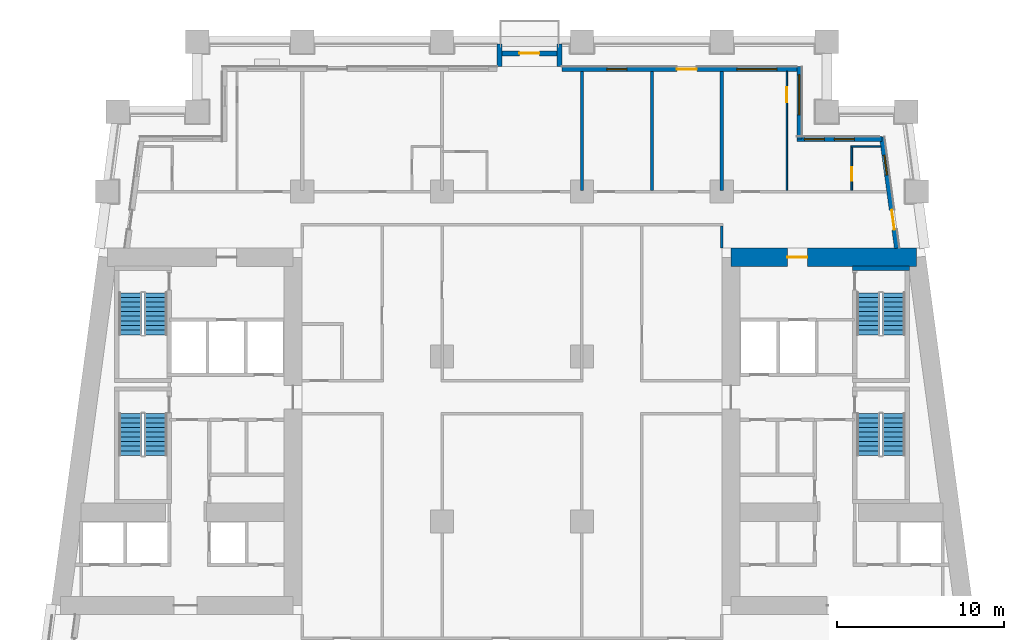
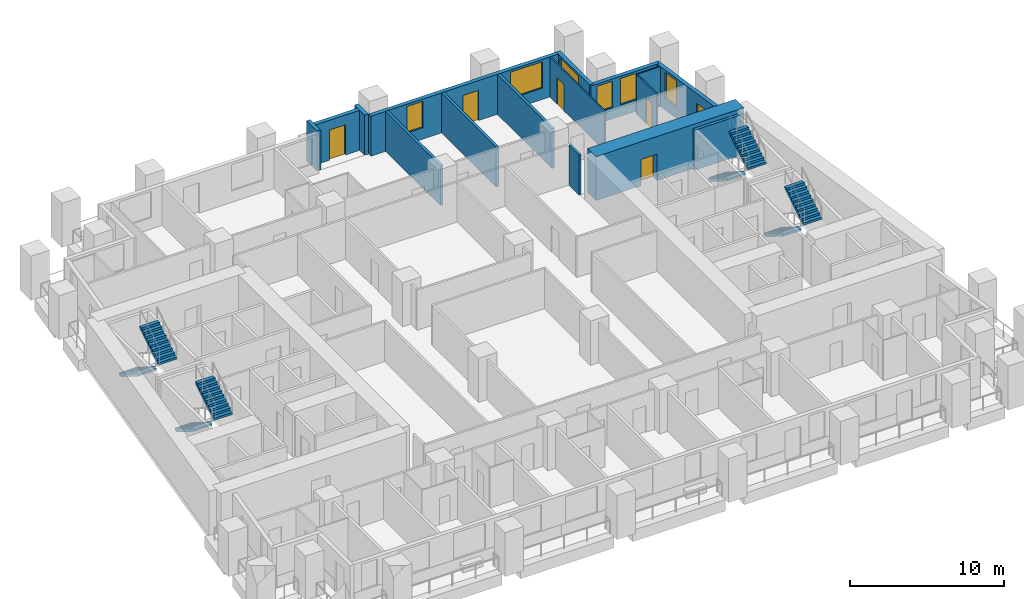
# One storey, part 7 of 12: 16 walls, 8 stair flights, 6 doors, 6 windows, 12 openings, 4 elements without a shape of their own.
"""IFC4 building model written with IfcOpenShell, lengths in metres."""

from ifc_helpers import new_model, si_unit, direction, frame, frame_2d, origin, place, context, subcontext, project, spatial, polyline, rectangle, outline, extrude, material, layer, layer_set, type_object, element, fill, aggregate, save


model = new_model("IFC4")

# Units and contexts
model_context = context("Model", 3, precision=1e-05, world=origin(), true_north=direction((0.0, 1.0)))
body_context = subcontext(model_context, "Body", "Model", "MODEL_VIEW")
ifc_project = project(units=[si_unit("LENGTHUNIT", "METRE"), si_unit("AREAUNIT", "SQUARE_METRE"), si_unit("VOLUMEUNIT", "CUBIC_METRE"), si_unit("PLANEANGLEUNIT", "RADIAN"), si_unit("MASSUNIT", "GRAM", prefix="KILO")], contexts=[model_context])

# Site, building, storey
site_placement = place(None, origin())
site = spatial("IfcSite", under=ifc_project, at=site_placement, CompositionType="ELEMENT")
building_placement = place(site_placement, origin())
building = spatial("IfcBuilding", under=site, at=building_placement, Name="Candeia Pilgrim Tower and Theatre", CompositionType="ELEMENT")
storey_placement = place(building_placement, frame((0.0, 0.0, 49.5)))
storey = spatial("IfcBuildingStorey", under=building, at=storey_placement, Name="L09", CompositionType="ELEMENT", Elevation=49.5)

# Wall, opening, door
ifc_material_1 = material(Name="Concrete C80/95", Category="concrete")
ifc_layer_1 = layer(ifc_material_1, 1.10009765625)
ifc_layer_set_1 = layer_set([ifc_layer_1], Name="Core wall 1100 C80/95")
wall_type_1 = type_object("IfcWallType", Name="Core wall 1100 C80/95", PredefinedType="SHEAR", material=ifc_layer_set_1)
wall_1_placement = place(storey_placement, frame((126.550048828125, 131.85009765625, 0.0), z_axis=(0.0, 0.0, 1.0), x_axis=(1.0, 0.0, 0.0)))
wall_1 = element("IfcWall", 1, at=wall_1_placement, inside=storey, type_object=wall_type_1, Name="Core wall E1", PredefinedType="SHEAR", context=body_context, shape_type="SweptSolid", body=[
    extrude(rectangle(XDim=11.13818359375, YDim=1.10009765625, at=frame_2d((5.569091796875, 0.0))), origin(), (0.0, 0.0, 1.0), 3.5),
])
opening_1_placement = place(wall_1_placement, frame((3.386474609375, 0.0, 0.0)))
opening_1 = element("IfcOpeningElement", 2, at=opening_1_placement, cuts=wall_1, Name="Opening L09-D058", PredefinedType="OPENING", context=body_context, shape_type="SweptSolid", body=[
    extrude(rectangle(XDim=1.199951171875, YDim=2.10009765625, at=frame_2d((0.60009765625, 1.050048828125))), frame((0.0, 0.56005859375, 0.0), z_axis=(0.0, -1.0, 0.0), x_axis=(1.0, 0.0, 0.0)), (0.0, 0.0, 1.0), 1.1201171875),
])
ifc_material_2 = material(Name="Steel fire door set", Category="steel")
door_type_1 = type_object("IfcDoorType", Name="D-1200-FD60", OperationType="NOTDEFINED", PredefinedType="DOOR", material=ifc_material_2)
door_1_placement = place(opening_1_placement, origin())
door_1 = element("IfcDoor", 3, at=door_1_placement, inside=storey, type_object=door_type_1, Name="Door L09-D058", OperationType="SINGLE_SWING_LEFT", OverallHeight=2.10009765625, OverallWidth=1.199951171875, PredefinedType="DOOR", context=body_context, shape_type="SweptSolid", body=[
    extrude(rectangle(XDim=1.199951171875, YDim=2.10009765625, at=frame_2d((0.60009765625, 1.050048828125))), frame((0.0, 0.02490234375, 0.0), z_axis=(0.0, -1.0, 0.0), x_axis=(1.0, 0.0, 0.0)), (0.0, 0.0, 1.0), 0.050048828125),
])
fill(opening_1, door_1)

# Wall, openings, door, window
ifc_material_3 = material(Name="Ceramic block masonry", Category="masonry")
ifc_layer_2 = layer(ifc_material_3, 0.300048828125)
ifc_layer_set_2 = layer_set([ifc_layer_2], Name="EW1 glazing-line wall 300")
wall_type_2 = type_object("IfcWallType", Name="EW1 glazing-line wall 300", PredefinedType="SOLIDWALL", material=ifc_layer_set_2)
wall_2_placement = place(storey_placement, frame((136.50439453125, 132.39990234375, 0.0), z_axis=(0.0, 0.0, 1.0), x_axis=(-0.133399697462, 0.99106231929, 0.0)))
wall_2 = element("IfcWall", 4, at=wall_2_placement, inside=storey, type_object=wall_type_2, Name="External wall L09-3.1", PredefinedType="SOLIDWALL", context=body_context, shape_type="SweptSolid", body=[
    extrude(rectangle(XDim=6.740478515625, YDim=0.300048828125, at=frame_2d((3.3701171875, 0.0))), origin(), (0.0, 0.0, 1.0), 3.179931640625),
])
opening_2_placement = place(wall_2_placement, frame((1.115234375, 0.0, 0.0)))
opening_2 = element("IfcOpeningElement", 5, at=opening_2_placement, cuts=wall_2, Name="Opening L09-ED113", PredefinedType="OPENING", context=body_context, shape_type="SweptSolid", body=[
    extrude(rectangle(XDim=1.199951171875, YDim=2.39990234375, at=frame_2d((0.60009765625, 1.199951171875))), frame((0.0, 0.16015625, 0.0), z_axis=(0.0, -1.0, 0.0), x_axis=(1.0, 0.0, 0.0)), (0.0, 0.0, 1.0), 0.320068359375),
])
opening_3_placement = place(wall_2_placement, frame((4.435546875, 0.0, 0.89990234375)))
opening_3 = element("IfcOpeningElement", 6, at=opening_3_placement, cuts=wall_2, Name="Opening W-B", PredefinedType="OPENING", context=body_context, shape_type="SweptSolid", body=[
    extrude(rectangle(XDim=1.199951171875, YDim=2.10009765625, at=frame_2d((0.60009765625, 1.050048828125))), frame((0.0, 0.16015625, 0.0), z_axis=(0.0, -1.0, 0.0), x_axis=(1.0, 0.0, 0.0)), (0.0, 0.0, 1.0), 0.320068359375),
])
ifc_material_4 = material(Name="Aluminium framed glazed door", Category="aluminium")
door_type_2 = type_object("IfcDoorType", Name="Loggia door 1200x2400", OperationType="DOUBLE_DOOR_SINGLE_SWING", PredefinedType="DOOR", material=ifc_material_4)
door_2_placement = place(opening_2_placement, origin())
door_2 = element("IfcDoor", 7, at=door_2_placement, inside=storey, type_object=door_type_2, Name="Loggia door L09-ED113", OperationType="DOUBLE_DOOR_SINGLE_SWING", OverallHeight=2.39990234375, OverallWidth=1.199951171875, PredefinedType="DOOR", context=body_context, shape_type="SweptSolid", body=[
    extrude(rectangle(XDim=1.199951171875, YDim=2.39990234375, at=frame_2d((0.60009765625, 1.199951171875))), frame((0.0, 0.02490234375, 0.0), z_axis=(0.0, -1.0, 0.0), x_axis=(1.0, 0.0, 0.0)), (0.0, 0.0, 1.0), 0.050048828125),
])
fill(opening_2, door_2)
ifc_material_5 = material(Name="Aluminium framed double glazing", Category="aluminium")
window_type_1 = type_object("IfcWindowType", Name="W-B window 1200x2100", PartitioningType="SINGLE_PANEL", PredefinedType="WINDOW", material=ifc_material_5)
window_1_placement = place(opening_3_placement, origin())
window_1 = element("IfcWindow", 8, at=window_1_placement, inside=storey, type_object=window_type_1, Name="Window W-B L09", OverallHeight=2.10009765625, OverallWidth=1.199951171875, PartitioningType="SINGLE_PANEL", PredefinedType="WINDOW", context=body_context, shape_type="SweptSolid", body=[
    extrude(rectangle(XDim=1.199951171875, YDim=2.10009765625, at=frame_2d((0.60009765625, 1.050048828125))), frame((0.0, 0.030029296875, 0.0), z_axis=(0.0, -1.0, 0.0), x_axis=(1.0, 0.0, 0.0)), (0.0, 0.0, 1.0), 0.06005859375),
])
fill(opening_3, window_1)

# Wall, openings, windows
wall_3_placement = place(storey_placement, frame((135.62255859375, 138.949951171875, 0.0), z_axis=(0.0, 0.0, 1.0), x_axis=(-1.0, 0.0, 0.0)))
wall_3 = element("IfcWall", 9, at=wall_3_placement, inside=storey, type_object=wall_type_2, Name="External wall L09-4.0", PredefinedType="SOLIDWALL", context=body_context, shape_type="SweptSolid", body=[
    extrude(rectangle(XDim=5.12255859375, YDim=0.300048828125, at=frame_2d((2.561279296875, 0.0))), origin(), (0.0, 0.0, 1.0), 3.179931640625),
])
opening_4_placement = place(wall_3_placement, frame((1.672607421875, 0.0, 0.89990234375)))
opening_4 = element("IfcOpeningElement", 10, at=opening_4_placement, cuts=wall_3, Name="Opening W-B", PredefinedType="OPENING", context=body_context, shape_type="SweptSolid", body=[
    extrude(rectangle(XDim=1.199951171875, YDim=2.10009765625, at=frame_2d((0.60009765625, 1.050048828125))), frame((0.0, 0.16015625, 0.0), z_axis=(0.0, -1.0, 0.0), x_axis=(1.0, 0.0, 0.0)), (0.0, 0.0, 1.0), 0.320068359375),
])
opening_5_placement = place(wall_3_placement, frame((3.47265625, 0.0, 0.89990234375)))
opening_5 = element("IfcOpeningElement", 11, at=opening_5_placement, cuts=wall_3, Name="Opening W-B", PredefinedType="OPENING", context=body_context, shape_type="SweptSolid", body=[
    extrude(rectangle(XDim=1.199951171875, YDim=2.10009765625, at=frame_2d((0.60009765625, 1.050048828125))), frame((0.0, 0.16015625, 0.0), z_axis=(0.0, -1.0, 0.0), x_axis=(1.0, 0.0, 0.0)), (0.0, 0.0, 1.0), 0.320068359375),
])
window_2_placement = place(opening_4_placement, origin())
window_2 = element("IfcWindow", 12, at=window_2_placement, inside=storey, type_object=window_type_1, Name="Window W-B L09", OverallHeight=2.10009765625, OverallWidth=1.199951171875, PartitioningType="SINGLE_PANEL", PredefinedType="WINDOW", context=body_context, shape_type="SweptSolid", body=[
    extrude(rectangle(XDim=1.199951171875, YDim=2.10009765625, at=frame_2d((0.60009765625, 1.050048828125))), frame((0.0, 0.030029296875, 0.0), z_axis=(0.0, -1.0, 0.0), x_axis=(1.0, 0.0, 0.0)), (0.0, 0.0, 1.0), 0.06005859375),
])
fill(opening_4, window_2)
window_3_placement = place(opening_5_placement, origin())
window_3 = element("IfcWindow", 13, at=window_3_placement, inside=storey, type_object=window_type_1, Name="Window W-B L09", OverallHeight=2.10009765625, OverallWidth=1.199951171875, PartitioningType="SINGLE_PANEL", PredefinedType="WINDOW", context=body_context, shape_type="SweptSolid", body=[
    extrude(rectangle(XDim=1.199951171875, YDim=2.10009765625, at=frame_2d((0.60009765625, 1.050048828125))), frame((0.0, 0.030029296875, 0.0), z_axis=(0.0, -1.0, 0.0), x_axis=(1.0, 0.0, 0.0)), (0.0, 0.0, 1.0), 0.06005859375),
])
fill(opening_5, window_3)

# Wall, opening, window
wall_4_placement = place(storey_placement, frame((130.64990234375, 138.949951171875, 0.0), z_axis=(0.0, 0.0, 1.0), x_axis=(0.0, 1.0, 0.0)))
wall_4 = element("IfcWall", 14, at=wall_4_placement, inside=storey, type_object=wall_type_2, Name="External wall L09-5.0", PredefinedType="SOLIDWALL", context=body_context, shape_type="SweptSolid", body=[
    extrude(rectangle(XDim=4.35009765625, YDim=0.300048828125, at=frame_2d((2.175048828125, 0.0))), origin(), (0.0, 0.0, 1.0), 3.179931640625),
])
opening_6_placement = place(wall_4_placement, frame((1.449951171875, 0.0, 0.89990234375)))
opening_6 = element("IfcOpeningElement", 15, at=opening_6_placement, cuts=wall_4, Name="Opening W-A", PredefinedType="OPENING", context=body_context, shape_type="SweptSolid", body=[
    extrude(rectangle(XDim=2.39990234375, YDim=2.10009765625, at=frame_2d((1.199951171875, 1.050048828125))), frame((0.0, 0.16015625, 0.0), z_axis=(0.0, -1.0, 0.0), x_axis=(1.0, 0.0, 0.0)), (0.0, 0.0, 1.0), 0.320068359375),
])
window_type_2 = type_object("IfcWindowType", Name="W-A window 2400x2100", PartitioningType="DOUBLE_PANEL_VERTICAL", PredefinedType="WINDOW", material=ifc_material_5)
window_4_placement = place(opening_6_placement, origin())
window_4 = element("IfcWindow", 16, at=window_4_placement, inside=storey, type_object=window_type_2, Name="Window W-A L09", OverallHeight=2.10009765625, OverallWidth=2.39990234375, PartitioningType="SINGLE_PANEL", PredefinedType="WINDOW", context=body_context, shape_type="SweptSolid", body=[
    extrude(rectangle(XDim=2.39990234375, YDim=2.10009765625, at=frame_2d((1.199951171875, 1.050048828125))), frame((0.0, 0.030029296875, 0.0), z_axis=(0.0, -1.0, 0.0), x_axis=(1.0, 0.0, 0.0)), (0.0, 0.0, 1.0), 0.06005859375),
])
fill(opening_6, window_4)

# Wall, openings, door, windows
wall_5_placement = place(storey_placement, frame((130.64990234375, 143.14990234375, 0.0), z_axis=(0.0, 0.0, 1.0), x_axis=(-1.0, 0.0, 0.0)))
wall_5 = element("IfcWall", 17, at=wall_5_placement, inside=storey, type_object=wall_type_2, Name="External wall L09-6.0", PredefinedType="SOLIDWALL", context=body_context, shape_type="SweptSolid", body=[
    extrude(rectangle(XDim=14.25, YDim=0.300048828125, at=frame_2d((7.125, 0.0))), origin(), (0.0, 0.0, 1.0), 3.179931640625),
])
opening_7_placement = place(wall_5_placement, frame((1.35009765625, 0.0, 0.89990234375)))
opening_7 = element("IfcOpeningElement", 18, at=opening_7_placement, cuts=wall_5, Name="Opening W-A", PredefinedType="OPENING", context=body_context, shape_type="SweptSolid", body=[
    extrude(rectangle(XDim=2.39990234375, YDim=2.10009765625, at=frame_2d((1.199951171875, 1.050048828125))), frame((0.0, 0.16015625, 0.0), z_axis=(0.0, -1.0, 0.0), x_axis=(1.0, 0.0, 0.0)), (0.0, 0.0, 1.0), 0.320068359375),
])
opening_8_placement = place(wall_5_placement, frame((6.14990234375, 0.0, 0.0)))
opening_8 = element("IfcOpeningElement", 19, at=opening_8_placement, cuts=wall_5, Name="Opening L09-ED114", PredefinedType="OPENING", context=body_context, shape_type="SweptSolid", body=[
    extrude(rectangle(XDim=1.199951171875, YDim=2.39990234375, at=frame_2d((0.60009765625, 1.199951171875))), frame((0.0, 0.16015625, 0.0), z_axis=(0.0, -1.0, 0.0), x_axis=(1.0, 0.0, 0.0)), (0.0, 0.0, 1.0), 0.320068359375),
])
opening_9_placement = place(wall_5_placement, frame((10.35009765625, 0.0, 0.89990234375)))
opening_9 = element("IfcOpeningElement", 20, at=opening_9_placement, cuts=wall_5, Name="Opening W-B", PredefinedType="OPENING", context=body_context, shape_type="SweptSolid", body=[
    extrude(rectangle(XDim=1.199951171875, YDim=2.10009765625, at=frame_2d((0.60009765625, 1.050048828125))), frame((0.0, 0.16015625, 0.0), z_axis=(0.0, -1.0, 0.0), x_axis=(1.0, 0.0, 0.0)), (0.0, 0.0, 1.0), 0.320068359375),
])
door_3_placement = place(opening_8_placement, origin())
door_3 = element("IfcDoor", 21, at=door_3_placement, inside=storey, type_object=door_type_2, Name="Loggia door L09-ED114", OperationType="DOUBLE_DOOR_SINGLE_SWING", OverallHeight=2.39990234375, OverallWidth=1.199951171875, PredefinedType="DOOR", context=body_context, shape_type="SweptSolid", body=[
    extrude(rectangle(XDim=1.199951171875, YDim=2.39990234375, at=frame_2d((0.60009765625, 1.199951171875))), frame((0.0, 0.02490234375, 0.0), z_axis=(0.0, -1.0, 0.0), x_axis=(1.0, 0.0, 0.0)), (0.0, 0.0, 1.0), 0.050048828125),
])
fill(opening_8, door_3)
window_5_placement = place(opening_7_placement, origin())
window_5 = element("IfcWindow", 22, at=window_5_placement, inside=storey, type_object=window_type_2, Name="Window W-A L09", OverallHeight=2.10009765625, OverallWidth=2.39990234375, PartitioningType="SINGLE_PANEL", PredefinedType="WINDOW", context=body_context, shape_type="SweptSolid", body=[
    extrude(rectangle(XDim=2.39990234375, YDim=2.10009765625, at=frame_2d((1.199951171875, 1.050048828125))), frame((0.0, 0.030029296875, 0.0), z_axis=(0.0, -1.0, 0.0), x_axis=(1.0, 0.0, 0.0)), (0.0, 0.0, 1.0), 0.06005859375),
])
fill(opening_7, window_5)
window_6_placement = place(opening_9_placement, origin())
window_6 = element("IfcWindow", 23, at=window_6_placement, inside=storey, type_object=window_type_1, Name="Window W-B L09", OverallHeight=2.10009765625, OverallWidth=1.199951171875, PartitioningType="SINGLE_PANEL", PredefinedType="WINDOW", context=body_context, shape_type="SweptSolid", body=[
    extrude(rectangle(XDim=1.199951171875, YDim=2.10009765625, at=frame_2d((0.60009765625, 1.050048828125))), frame((0.0, 0.030029296875, 0.0), z_axis=(0.0, -1.0, 0.0), x_axis=(1.0, 0.0, 0.0)), (0.0, 0.0, 1.0), 0.06005859375),
])
fill(opening_9, window_6)

# Walls
ifc_layer_3 = layer(ifc_material_3, 0.300048828125)
ifc_layer_set_3 = layer_set([ifc_layer_3], Name="EW2 entrance infill wall 300")
wall_type_3 = type_object("IfcWallType", Name="EW2 entrance infill wall 300", PredefinedType="SOLIDWALL", material=ifc_layer_set_3)
for number, where, z_axis, x_axis, name in (
    (24, (116.25, 143.300048828125, 0.0), (0.0, 0.0, 1.0), (0.0, 1.0, 0.0), "Alcove wall L09"),
    (25, (112.64990234375, 143.300048828125, 0.0), (0.0, 0.0, 1.0), (0.0, 1.0, 0.0), "Alcove wall L09"),
):
    element("IfcWall", number, at=place(storey_placement, frame(where, z_axis=z_axis, x_axis=x_axis)), inside=storey, type_object=wall_type_3, Name=name, PredefinedType="SOLIDWALL", context=body_context, shape_type="SweptSolid", body=[
        extrude(rectangle(XDim=1.349853515625, YDim=0.300048828125, at=frame_2d((0.6748046875, 0.0))), origin(), (0.0, 0.0, 1.0), 3.179931640625),
    ])

# Wall, opening, door
wall_6_placement = place(storey_placement, frame((116.39990234375, 144.10009765625, 0.0), z_axis=(0.0, 0.0, 1.0), x_axis=(-1.0, 0.0, 0.0)))
wall_6 = element("IfcWall", 26, at=wall_6_placement, inside=storey, type_object=wall_type_3, Name="Alcove wall L09", PredefinedType="SOLIDWALL", context=body_context, shape_type="SweptSolid", body=[
    extrude(rectangle(XDim=3.89990234375, YDim=0.300048828125, at=frame_2d((1.949951171875, 0.0))), origin(), (0.0, 0.0, 1.0), 3.179931640625),
])
opening_10_placement = place(wall_6_placement, frame((1.35009765625, 0.0, 0.0)))
opening_10 = element("IfcOpeningElement", 27, at=opening_10_placement, cuts=wall_6, Name="Opening L09-ED116", PredefinedType="OPENING", context=body_context, shape_type="SweptSolid", body=[
    extrude(rectangle(XDim=1.199951171875, YDim=2.39990234375, at=frame_2d((0.60009765625, 1.199951171875))), frame((0.0, 0.16015625, 0.0), z_axis=(0.0, -1.0, 0.0), x_axis=(1.0, 0.0, 0.0)), (0.0, 0.0, 1.0), 0.320068359375),
])
door_4_placement = place(opening_10_placement, origin())
door_4 = element("IfcDoor", 28, at=door_4_placement, inside=storey, type_object=door_type_2, Name="Balcony door L09-ED116", OperationType="DOUBLE_DOOR_SINGLE_SWING", OverallHeight=2.39990234375, OverallWidth=1.199951171875, PredefinedType="DOOR", context=body_context, shape_type="SweptSolid", body=[
    extrude(rectangle(XDim=1.199951171875, YDim=2.39990234375, at=frame_2d((0.60009765625, 1.199951171875))), frame((0.0, 0.02490234375, 0.0), z_axis=(0.0, -1.0, 0.0), x_axis=(1.0, 0.0, 0.0)), (0.0, 0.0, 1.0), 0.050048828125),
])
fill(opening_10, door_4)

# Wall
ifc_material_6 = material(Name="Gypsum board partition on steel studs", Category="steel")
ifc_layer_4 = layer(ifc_material_6, 0.10009765625)
ifc_layer_set_4 = layer_set([ifc_layer_4], Name="PW-100 room partition")
wall_type_4 = type_object("IfcWallType", Name="PW-100 room partition", PredefinedType="PARTITIONING", material=ifc_layer_set_4)
wall_7_placement = place(storey_placement, frame((133.75, 138.5, 0.0), z_axis=(0.0, 0.0, 1.0), x_axis=(1.0, 0.0, 0.0)))
element("IfcWall", 29, at=wall_7_placement, inside=storey, type_object=wall_type_4, Name="Room partition L09-046", PredefinedType="PARTITIONING", context=body_context, shape_type="SweptSolid", body=[
    extrude(rectangle(XDim=1.7919921875, YDim=0.10009765625, at=frame_2d((0.89599609375, 0.0))), origin(), (0.0, 0.0, 1.0), 3.179931640625),
])

# Wall, opening, door
wall_8_placement = place(storey_placement, frame((129.89990234375, 135.875, 0.0), z_axis=(0.0, 0.0, 1.0), x_axis=(0.0, 1.0, 0.0)))
wall_8 = element("IfcWall", 30, at=wall_8_placement, inside=storey, type_object=wall_type_4, Name="Room partition L09-103", PredefinedType="PARTITIONING", context=body_context, shape_type="SweptSolid", body=[
    extrude(rectangle(XDim=7.135009765625, YDim=0.10009765625, at=frame_2d((3.5673828125, 0.0))), origin(), (0.0, 0.0, 1.0), 3.179931640625),
])
opening_11_placement = place(wall_8_placement, frame((5.2900390625, 0.0, 0.0)))
opening_11 = element("IfcOpeningElement", 31, at=opening_11_placement, cuts=wall_8, Name="Opening L09-D045", PredefinedType="OPENING", context=body_context, shape_type="SweptSolid", body=[
    extrude(rectangle(XDim=0.89990234375, YDim=2.10009765625, at=frame_2d((0.449951171875, 1.050048828125))), frame((0.0, 0.06005859375, 0.0), z_axis=(0.0, -1.0, 0.0), x_axis=(1.0, 0.0, 0.0)), (0.0, 0.0, 1.0), 0.1201171875),
])
ifc_material_7 = material(Name="Timber door leaf", Category="wood")
door_type_3 = type_object("IfcDoorType", Name="D-900", OperationType="NOTDEFINED", PredefinedType="DOOR", material=ifc_material_7)
door_5_placement = place(opening_11_placement, origin())
door_5 = element("IfcDoor", 32, at=door_5_placement, inside=storey, type_object=door_type_3, Name="Door L09-D045", OperationType="SINGLE_SWING_RIGHT", OverallHeight=2.10009765625, OverallWidth=0.89990234375, PredefinedType="DOOR", context=body_context, shape_type="SweptSolid", body=[
    extrude(rectangle(XDim=0.89990234375, YDim=2.10009765625, at=frame_2d((0.449951171875, 1.050048828125))), frame((0.0, 0.02490234375, 0.0), z_axis=(0.0, -1.0, 0.0), x_axis=(1.0, 0.0, 0.0)), (0.0, 0.0, 1.0), 0.050048828125),
])
fill(opening_11, door_5)

wall_9_placement = place(storey_placement, frame((133.800048828125, 135.875, 0.0), z_axis=(0.0, 0.0, 1.0), x_axis=(0.0, 1.0, 0.0)))
wall_9 = element("IfcWall", 33, at=wall_9_placement, inside=storey, type_object=wall_type_4, Name="Room partition L09-109", PredefinedType="PARTITIONING", context=body_context, shape_type="SweptSolid", body=[
    extrude(rectangle(XDim=2.574951171875, YDim=0.10009765625, at=frame_2d((1.28759765625, 0.0))), origin(), (0.0, 0.0, 1.0), 3.179931640625),
])
opening_12_placement = place(wall_9_placement, frame((0.574951171875, 0.0, 0.0)))
opening_12 = element("IfcOpeningElement", 34, at=opening_12_placement, cuts=wall_9, Name="Opening L09-D046", PredefinedType="OPENING", context=body_context, shape_type="SweptSolid", body=[
    extrude(rectangle(XDim=0.800048828125, YDim=2.10009765625, at=frame_2d((0.39990234375, 1.050048828125))), frame((0.0, 0.06005859375, 0.0), z_axis=(0.0, -1.0, 0.0), x_axis=(1.0, 0.0, 0.0)), (0.0, 0.0, 1.0), 0.1201171875),
])
door_type_4 = type_object("IfcDoorType", Name="D-800", OperationType="NOTDEFINED", PredefinedType="DOOR", material=ifc_material_7)
door_6_placement = place(opening_12_placement, origin())
door_6 = element("IfcDoor", 35, at=door_6_placement, inside=storey, type_object=door_type_4, Name="Door L09-D046", OperationType="SINGLE_SWING_LEFT", OverallHeight=2.10009765625, OverallWidth=0.800048828125, PredefinedType="DOOR", context=body_context, shape_type="SweptSolid", body=[
    extrude(rectangle(XDim=0.800048828125, YDim=2.10009765625, at=frame_2d((0.39990234375, 1.050048828125))), frame((0.0, 0.02490234375, 0.0), z_axis=(0.0, -1.0, 0.0), x_axis=(1.0, 0.0, 0.0)), (0.0, 0.0, 1.0), 0.050048828125),
])
fill(opening_12, door_6)

# Walls
ifc_layer_5 = layer(ifc_material_6, 0.14990234375)
ifc_layer_set_5 = layer_set([ifc_layer_5], Name="PW-150 unit wall")
wall_type_5 = type_object("IfcWallType", Name="PW-150 unit wall", PredefinedType="PARTITIONING", material=ifc_layer_set_5)
wall_10_placement = place(storey_placement, frame((126.0, 132.39990234375, 0.0), z_axis=(0.0, 0.0, 1.0), x_axis=(0.0, 1.0, 0.0)))
element("IfcWall", 36, at=wall_10_placement, inside=storey, type_object=wall_type_5, Name="Unit wall L09-099", PredefinedType="PARTITIONING", context=body_context, shape_type="SweptSolid", body=[
    extrude(rectangle(XDim=1.3251953125, YDim=0.14990234375, at=frame_2d((0.66259765625, 0.0))), origin(), (0.0, 0.0, 1.0), 3.179931640625),
])
ifc_layer_6 = layer(ifc_material_6, 0.199951171875)
ifc_layer_set_6 = layer_set([ifc_layer_6], Name="PW-200 party wall")
wall_type_6 = type_object("IfcWallType", Name="PW-200 party wall", PredefinedType="PARTITIONING", material=ifc_layer_set_6)
for number, where, z_axis, x_axis, name in (
    (37, (117.60009765625, 135.875, 0.0), (0.0, 0.0, 1.0), (0.0, 1.0, 0.0), "Party wall L09-088"),
    (38, (121.800048828125, 135.875, 0.0), (0.0, 0.0, 1.0), (0.0, 1.0, 0.0), "Party wall L09-094"),
    (39, (126.0, 135.875, 0.0), (0.0, 0.0, 1.0), (0.0, 1.0, 0.0), "Party wall L09-097"),
):
    element("IfcWall", number, at=place(storey_placement, frame(where, z_axis=z_axis, x_axis=x_axis)), inside=storey, type_object=wall_type_6, Name=name, PredefinedType="PARTITIONING", context=body_context, shape_type="SweptSolid", body=[
        extrude(rectangle(XDim=7.135009765625, YDim=0.199951171875, at=frame_2d((3.5673828125, 0.0))), origin(), (0.0, 0.0, 1.0), 3.179931640625),
    ])
ifc_material_8 = material(Name="Concrete C40/50", Category="concrete")
ifc_layer_7 = layer(ifc_material_8, 0.25)
ifc_layer_set_7 = layer_set([ifc_layer_7], Name="SW-250 stair wall")
wall_type_7 = type_object("IfcWallType", Name="SW-250 stair wall", PredefinedType="PARTITIONING", material=ifc_layer_set_7)
wall_11_placement = place(storey_placement, frame((133.847900390625, 131.199951171875, 0.0), z_axis=(0.0, 0.0, 1.0), x_axis=(1.0, 0.0, 0.0)))
element("IfcWall", 40, at=wall_11_placement, inside=storey, type_object=wall_type_7, Name="Stair wall L09-040", PredefinedType="PARTITIONING", context=body_context, shape_type="SweptSolid", body=[
    extrude(rectangle(XDim=3.400146484375, YDim=0.25, at=frame_2d((1.7001953125, 0.0))), origin(), (0.0, 0.0, 1.0), 3.179931640625),
])

# Stair, stair flights
stair_type = type_object("IfcStairType", Name="ST-TWR dog-leg escape stair", PredefinedType="HALF_TURN_STAIR", material=ifc_material_8)
stair_1_placement = place(storey_placement, origin())
stair_1 = element("IfcStair", 41, at=stair_1_placement, inside=storey, type_object=stair_type, Name="L09 Escape stair ST1", PredefinedType="HALF_TURN_STAIR")
stair_flight_type = type_object("IfcStairFlightType", Name="SFL-RC stair flight", PredefinedType="STRAIGHT", material=ifc_material_8)
stair_flight_1_placement = place(storey_placement, frame((90.47705078125, 122.47509765625, 0.0), z_axis=(0.0, 0.0, 1.0), x_axis=(0.0, -1.0, 0.0)))
stair_flight_1 = element("IfcStairFlight", 42, at=stair_flight_1_placement, type_object=stair_flight_type, Name="ST1 flight 1", NumberOfRisers=10, NumberOfTreads=9, PredefinedType="STRAIGHT", RiserHeight=0.175, TreadLength=0.28, context=body_context, shape_type="SweptSolid", body=[
    extrude(outline(polyline([(0.0, 0.0), (0.0, 0.175048828125), (0.280029296875, 0.175048828125), (0.280029296875, 0.35009765625), (0.56005859375, 0.35009765625), (0.56005859375, 0.52490234375), (0.840087890625, 0.52490234375), (0.840087890625, 0.699951171875), (1.1201171875, 0.699951171875), (1.1201171875, 0.875), (1.39990234375, 0.875), (1.39990234375, 1.050048828125), (1.679931640625, 1.050048828125), (1.679931640625, 1.22509765625), (1.9599609375, 1.22509765625), (1.9599609375, 1.39990234375), (2.239990234375, 1.39990234375), (2.239990234375, 1.574951171875), (2.52001953125, 1.574951171875), (2.52001953125, 1.75), (2.52001953125, 1.398193359375), (0.28271484375, 0.0), (0.0, 0.0)])), frame((0.0, 0.675048828125, 0.0), z_axis=(0.0, -1.0, 0.0), x_axis=(1.0, 0.0, 0.0)), (0.0, 0.0, 1.0), 1.35009765625),
])
stair_flight_2_placement = place(storey_placement, frame((92.027099609375, 119.955078125, 1.75), z_axis=(0.0, 0.0, 1.0), x_axis=(0.0, 1.0, 0.0)))
stair_flight_2 = element("IfcStairFlight", 43, at=stair_flight_2_placement, type_object=stair_flight_type, Name="ST1 flight 2", NumberOfRisers=10, NumberOfTreads=9, PredefinedType="STRAIGHT", RiserHeight=0.175, TreadLength=0.28, context=body_context, shape_type="SweptSolid", body=[
    extrude(outline(polyline([(0.0, 0.0), (0.0, 0.175048828125), (0.280029296875, 0.175048828125), (0.280029296875, 0.35009765625), (0.56005859375, 0.35009765625), (0.56005859375, 0.52490234375), (0.840087890625, 0.52490234375), (0.840087890625, 0.699951171875), (1.1201171875, 0.699951171875), (1.1201171875, 0.875), (1.39990234375, 0.875), (1.39990234375, 1.050048828125), (1.679931640625, 1.050048828125), (1.679931640625, 1.22509765625), (1.9599609375, 1.22509765625), (1.9599609375, 1.39990234375), (2.239990234375, 1.39990234375), (2.239990234375, 1.574951171875), (2.52001953125, 1.574951171875), (2.52001953125, 1.75), (2.52001953125, 1.398193359375), (0.28271484375, 0.0), (0.0, 0.0)])), frame((0.0, 0.675048828125, 0.0), z_axis=(0.0, -1.0, 0.0), x_axis=(1.0, 0.0, 0.0)), (0.0, 0.0, 1.0), 1.35009765625),
])
aggregate(stair_1, [stair_flight_1, stair_flight_2])

stair_2_placement = place(storey_placement, origin())
stair_2 = element("IfcStair", 44, at=stair_2_placement, inside=storey, type_object=stair_type, Name="L09 Escape stair ST2", PredefinedType="HALF_TURN_STAIR")
stair_flight_3_placement = place(storey_placement, frame((90.47705078125, 129.72509765625, 0.0), z_axis=(0.0, 0.0, 1.0), x_axis=(0.0, -1.0, 0.0)))
stair_flight_3 = element("IfcStairFlight", 45, at=stair_flight_3_placement, type_object=stair_flight_type, Name="ST2 flight 1", NumberOfRisers=10, NumberOfTreads=9, PredefinedType="STRAIGHT", RiserHeight=0.175, TreadLength=0.28, context=body_context, shape_type="SweptSolid", body=[
    extrude(outline(polyline([(0.0, 0.0), (0.0, 0.175048828125), (0.280029296875, 0.175048828125), (0.280029296875, 0.35009765625), (0.56005859375, 0.35009765625), (0.56005859375, 0.52490234375), (0.840087890625, 0.52490234375), (0.840087890625, 0.699951171875), (1.1201171875, 0.699951171875), (1.1201171875, 0.875), (1.39990234375, 0.875), (1.39990234375, 1.050048828125), (1.679931640625, 1.050048828125), (1.679931640625, 1.22509765625), (1.9599609375, 1.22509765625), (1.9599609375, 1.39990234375), (2.239990234375, 1.39990234375), (2.239990234375, 1.574951171875), (2.52001953125, 1.574951171875), (2.52001953125, 1.75), (2.52001953125, 1.398193359375), (0.28271484375, 0.0), (0.0, 0.0)])), frame((0.0, 0.675048828125, 0.0), z_axis=(0.0, -1.0, 0.0), x_axis=(1.0, 0.0, 0.0)), (0.0, 0.0, 1.0), 1.35009765625),
])
stair_flight_4_placement = place(storey_placement, frame((92.027099609375, 127.205078125, 1.75), z_axis=(0.0, 0.0, 1.0), x_axis=(0.0, 1.0, 0.0)))
stair_flight_4 = element("IfcStairFlight", 46, at=stair_flight_4_placement, type_object=stair_flight_type, Name="ST2 flight 2", NumberOfRisers=10, NumberOfTreads=9, PredefinedType="STRAIGHT", RiserHeight=0.175, TreadLength=0.28, context=body_context, shape_type="SweptSolid", body=[
    extrude(outline(polyline([(0.0, 0.0), (0.0, 0.175048828125), (0.280029296875, 0.175048828125), (0.280029296875, 0.35009765625), (0.56005859375, 0.35009765625), (0.56005859375, 0.52490234375), (0.840087890625, 0.52490234375), (0.840087890625, 0.699951171875), (1.1201171875, 0.699951171875), (1.1201171875, 0.875), (1.39990234375, 0.875), (1.39990234375, 1.050048828125), (1.679931640625, 1.050048828125), (1.679931640625, 1.22509765625), (1.9599609375, 1.22509765625), (1.9599609375, 1.39990234375), (2.239990234375, 1.39990234375), (2.239990234375, 1.574951171875), (2.52001953125, 1.574951171875), (2.52001953125, 1.75), (2.52001953125, 1.398193359375), (0.28271484375, 0.0), (0.0, 0.0)])), frame((0.0, 0.675048828125, 0.0), z_axis=(0.0, -1.0, 0.0), x_axis=(1.0, 0.0, 0.0)), (0.0, 0.0, 1.0), 1.35009765625),
])
aggregate(stair_2, [stair_flight_3, stair_flight_4])

stair_3_placement = place(storey_placement, origin())
stair_3 = element("IfcStair", 47, at=stair_3_placement, inside=storey, type_object=stair_type, Name="L09 Escape stair ST3", PredefinedType="HALF_TURN_STAIR")
stair_flight_5_placement = place(storey_placement, frame((134.77294921875, 122.47509765625, 0.0), z_axis=(0.0, 0.0, 1.0), x_axis=(0.0, -1.0, 0.0)))
stair_flight_5 = element("IfcStairFlight", 48, at=stair_flight_5_placement, type_object=stair_flight_type, Name="ST3 flight 1", NumberOfRisers=10, NumberOfTreads=9, PredefinedType="STRAIGHT", RiserHeight=0.175, TreadLength=0.28, context=body_context, shape_type="SweptSolid", body=[
    extrude(outline(polyline([(0.0, 0.0), (0.0, 0.175048828125), (0.280029296875, 0.175048828125), (0.280029296875, 0.35009765625), (0.56005859375, 0.35009765625), (0.56005859375, 0.52490234375), (0.840087890625, 0.52490234375), (0.840087890625, 0.699951171875), (1.1201171875, 0.699951171875), (1.1201171875, 0.875), (1.39990234375, 0.875), (1.39990234375, 1.050048828125), (1.679931640625, 1.050048828125), (1.679931640625, 1.22509765625), (1.9599609375, 1.22509765625), (1.9599609375, 1.39990234375), (2.239990234375, 1.39990234375), (2.239990234375, 1.574951171875), (2.52001953125, 1.574951171875), (2.52001953125, 1.75), (2.52001953125, 1.398193359375), (0.28271484375, 0.0), (0.0, 0.0)])), frame((0.0, 0.675048828125, 0.0), z_axis=(0.0, -1.0, 0.0), x_axis=(1.0, 0.0, 0.0)), (0.0, 0.0, 1.0), 1.35009765625),
])
stair_flight_6_placement = place(storey_placement, frame((136.322998046875, 119.955078125, 1.75), z_axis=(0.0, 0.0, 1.0), x_axis=(0.0, 1.0, 0.0)))
stair_flight_6 = element("IfcStairFlight", 49, at=stair_flight_6_placement, type_object=stair_flight_type, Name="ST3 flight 2", NumberOfRisers=10, NumberOfTreads=9, PredefinedType="STRAIGHT", RiserHeight=0.175, TreadLength=0.28, context=body_context, shape_type="SweptSolid", body=[
    extrude(outline(polyline([(0.0, 0.0), (0.0, 0.175048828125), (0.280029296875, 0.175048828125), (0.280029296875, 0.35009765625), (0.56005859375, 0.35009765625), (0.56005859375, 0.52490234375), (0.840087890625, 0.52490234375), (0.840087890625, 0.699951171875), (1.1201171875, 0.699951171875), (1.1201171875, 0.875), (1.39990234375, 0.875), (1.39990234375, 1.050048828125), (1.679931640625, 1.050048828125), (1.679931640625, 1.22509765625), (1.9599609375, 1.22509765625), (1.9599609375, 1.39990234375), (2.239990234375, 1.39990234375), (2.239990234375, 1.574951171875), (2.52001953125, 1.574951171875), (2.52001953125, 1.75), (2.52001953125, 1.398193359375), (0.28271484375, 0.0), (0.0, 0.0)])), frame((0.0, 0.675048828125, 0.0), z_axis=(0.0, -1.0, 0.0), x_axis=(1.0, 0.0, 0.0)), (0.0, 0.0, 1.0), 1.35009765625),
])
aggregate(stair_3, [stair_flight_5, stair_flight_6])

stair_4_placement = place(storey_placement, origin())
stair_4 = element("IfcStair", 50, at=stair_4_placement, inside=storey, type_object=stair_type, Name="L09 Escape stair ST4", PredefinedType="HALF_TURN_STAIR")
stair_flight_7_placement = place(storey_placement, frame((134.77294921875, 129.72509765625, 0.0), z_axis=(0.0, 0.0, 1.0), x_axis=(0.0, -1.0, 0.0)))
stair_flight_7 = element("IfcStairFlight", 51, at=stair_flight_7_placement, type_object=stair_flight_type, Name="ST4 flight 1", NumberOfRisers=10, NumberOfTreads=9, PredefinedType="STRAIGHT", RiserHeight=0.175, TreadLength=0.28, context=body_context, shape_type="SweptSolid", body=[
    extrude(outline(polyline([(0.0, 0.0), (0.0, 0.175048828125), (0.280029296875, 0.175048828125), (0.280029296875, 0.35009765625), (0.56005859375, 0.35009765625), (0.56005859375, 0.52490234375), (0.840087890625, 0.52490234375), (0.840087890625, 0.699951171875), (1.1201171875, 0.699951171875), (1.1201171875, 0.875), (1.39990234375, 0.875), (1.39990234375, 1.050048828125), (1.679931640625, 1.050048828125), (1.679931640625, 1.22509765625), (1.9599609375, 1.22509765625), (1.9599609375, 1.39990234375), (2.239990234375, 1.39990234375), (2.239990234375, 1.574951171875), (2.52001953125, 1.574951171875), (2.52001953125, 1.75), (2.52001953125, 1.398193359375), (0.28271484375, 0.0), (0.0, 0.0)])), frame((0.0, 0.675048828125, 0.0), z_axis=(0.0, -1.0, 0.0), x_axis=(1.0, 0.0, 0.0)), (0.0, 0.0, 1.0), 1.35009765625),
])
stair_flight_8_placement = place(storey_placement, frame((136.322998046875, 127.205078125, 1.75), z_axis=(0.0, 0.0, 1.0), x_axis=(0.0, 1.0, 0.0)))
stair_flight_8 = element("IfcStairFlight", 52, at=stair_flight_8_placement, type_object=stair_flight_type, Name="ST4 flight 2", NumberOfRisers=10, NumberOfTreads=9, PredefinedType="STRAIGHT", RiserHeight=0.175, TreadLength=0.28, context=body_context, shape_type="SweptSolid", body=[
    extrude(outline(polyline([(0.0, 0.0), (0.0, 0.175048828125), (0.280029296875, 0.175048828125), (0.280029296875, 0.35009765625), (0.56005859375, 0.35009765625), (0.56005859375, 0.52490234375), (0.840087890625, 0.52490234375), (0.840087890625, 0.699951171875), (1.1201171875, 0.699951171875), (1.1201171875, 0.875), (1.39990234375, 0.875), (1.39990234375, 1.050048828125), (1.679931640625, 1.050048828125), (1.679931640625, 1.22509765625), (1.9599609375, 1.22509765625), (1.9599609375, 1.39990234375), (2.239990234375, 1.39990234375), (2.239990234375, 1.574951171875), (2.52001953125, 1.574951171875), (2.52001953125, 1.75), (2.52001953125, 1.398193359375), (0.28271484375, 0.0), (0.0, 0.0)])), frame((0.0, 0.675048828125, 0.0), z_axis=(0.0, -1.0, 0.0), x_axis=(1.0, 0.0, 0.0)), (0.0, 0.0, 1.0), 1.35009765625),
])
aggregate(stair_4, [stair_flight_7, stair_flight_8])

save(model, "model.ifc")
